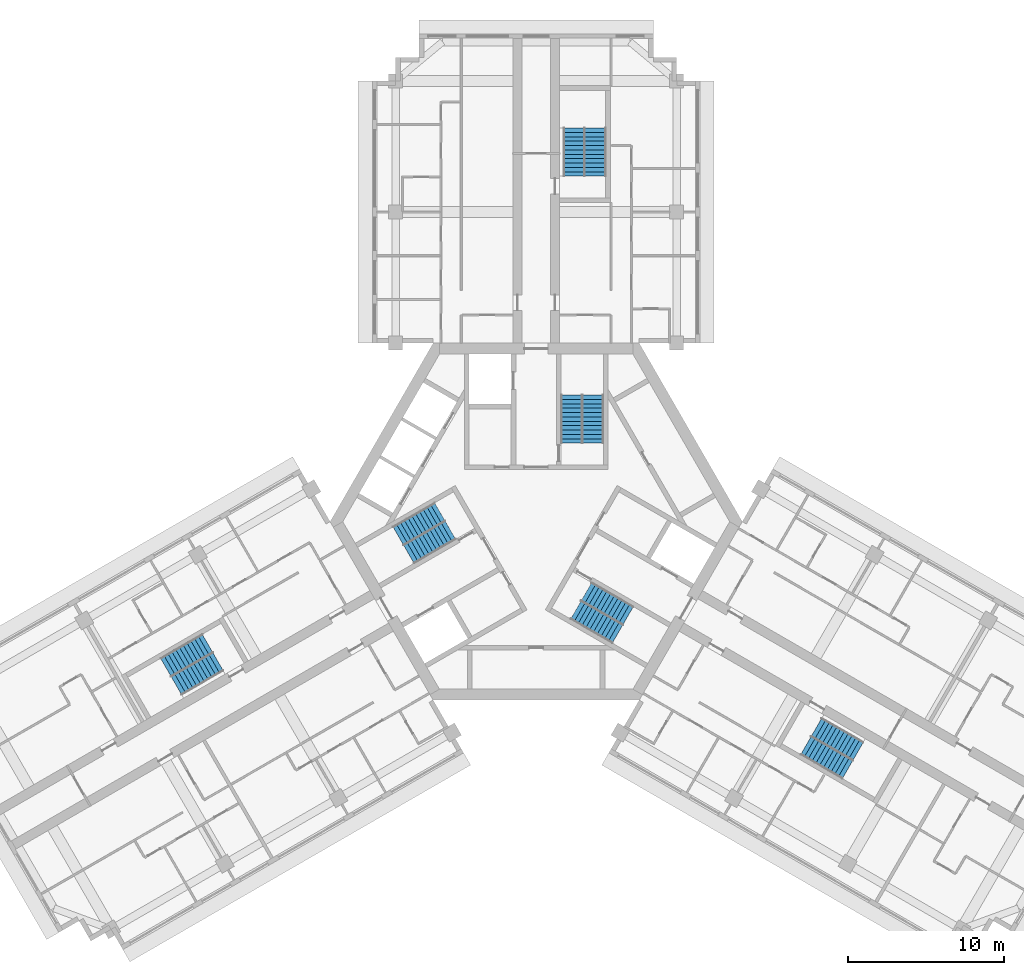
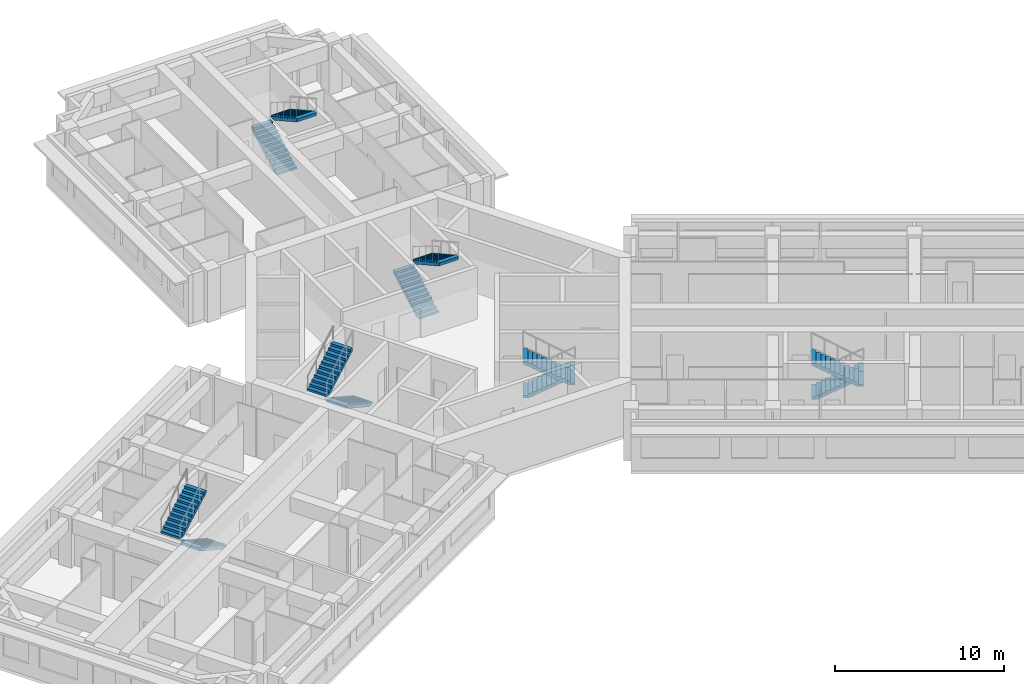
# One storey, part 10 of 11: 12 stair flights, 6 elements without a shape of their own.
"""IFC4 building model written with IfcOpenShell, lengths in metres."""

import ifcopenshell
import ifcopenshell.guid

model = None  # the IFC model being written
_history = None  # IfcOwnerHistory: only IFC2X3 demands one
_inside = {}  # id of a spatial element -> (the spatial element, [elements in it])
_under = {}  # id of a project, library or spatial element -> (it, [spatial elements below it])
_declared = {}  # id of a project -> (the project, [libraries it declares])
_typed = {}  # id of a type object -> (the type object, [elements of that type])
_made_of = {}  # id of a material, layer set ... -> (it, [elements and type objects made of it])


def new_model(schema):
    """Start an empty IFC model of exactly this schema.

    Asked for "IFC4X3", IfcOpenShell would pick the latest addendum, in which some entities
    have other attributes; the version numbers below select the first issue.
    IFC2X3 requires an IfcOwnerHistory on every rooted entity: one is made here for all.
    """
    global model, _history
    if schema == "IFC4X3":
        model = ifcopenshell.file(schema_version=(4, 3, 0, 0))
    else:
        model = ifcopenshell.file(schema=schema)
    _inside.clear()
    _under.clear()
    _declared.clear()
    _typed.clear()
    _made_of.clear()
    _history = None
    if model.schema == "IFC2X3":
        org = make("IfcOrganization", Name="unknown")
        user = make(
            "IfcPersonAndOrganization",
            ThePerson=make("IfcPerson", FamilyName="unknown"),
            TheOrganization=org,
        )
        app = make(
            "IfcApplication",
            ApplicationDeveloper=org,
            Version="unknown",
            ApplicationFullName="unknown",
            ApplicationIdentifier="unknown",
        )
        _history = make(
            "IfcOwnerHistory",
            OwningUser=user,
            OwningApplication=app,
            ChangeAction="ADDED",
            CreationDate=0,
        )
    return model


def make(cls, **values):
    """One entity of the class cls with the attributes given. An attribute that is None is left unset."""
    return model.create_entity(
        cls, **{name: value for name, value in values.items() if value is not None}
    )


def rooted(cls, **values):
    """An entity with a GlobalId (a new one), such as an element, a storey or a relation."""
    return make(cls, GlobalId=ifcopenshell.guid.new(), OwnerHistory=_history, **values)


def si_unit(unit_type, name, prefix=None):
    """IfcSIUnit, for example si_unit("LENGTHUNIT", "METRE", prefix="MILLI")."""
    return make("IfcSIUnit", UnitType=unit_type, Prefix=prefix, Name=name)


def assignment(units):
    """IfcUnitAssignment: the units of a project."""
    return None if units is None else make("IfcUnitAssignment", Units=units)


def point(xyz):
    """IfcCartesianPoint."""
    return None if xyz is None else make("IfcCartesianPoint", Coordinates=xyz)


def direction(xyz):
    """IfcDirection."""
    return None if xyz is None else make("IfcDirection", DirectionRatios=xyz)


def frame(location, z_axis=None, x_axis=None):
    """IfcAxis2Placement3D, a coordinate frame: its origin and axes. An axis left out is left unset."""
    return make(
        "IfcAxis2Placement3D",
        Location=point(location),
        Axis=direction(z_axis),
        RefDirection=direction(x_axis),
    )


def origin():
    """The frame at (0, 0, 0) with its axes left unset."""
    return frame((0.0, 0.0, 0.0))


def place(relative_to, where):
    """IfcLocalPlacement: puts the frame where relative to a parent placement (None: the world)."""
    return make(
        "IfcLocalPlacement", PlacementRelTo=relative_to, RelativePlacement=where
    )


def context(
    kind, dimensions, precision=None, world=None, true_north=None, identifier=None
):
    """IfcGeometricRepresentationContext, for example the 3D "Model" context."""
    return make(
        "IfcGeometricRepresentationContext",
        ContextIdentifier=identifier,
        ContextType=kind,
        CoordinateSpaceDimension=dimensions,
        Precision=precision,
        WorldCoordinateSystem=world,
        TrueNorth=true_north,
    )


def subcontext(parent, identifier, kind, view, scale=None):
    """IfcGeometricRepresentationSubContext, for example "Body" below "Model"."""
    return make(
        "IfcGeometricRepresentationSubContext",
        ContextIdentifier=identifier,
        ContextType=kind,
        ParentContext=parent,
        TargetScale=scale,
        TargetView=view,
    )


def project(units=None, contexts=None):
    """IfcProject with its units and contexts."""
    return rooted(
        "IfcProject",
        Name="project",
        RepresentationContexts=contexts,
        UnitsInContext=assignment(units),
    )


def spatial(cls, under=None, at=None, **own):
    """A site, building, storey or space (cls), placed at a placement, below another one or the project."""
    s = rooted(cls, ObjectPlacement=at, **own)
    if under is not None:
        _under.setdefault(under.id(), (under, []))[1].append(s)
    return s


def polyline(points):
    """IfcPolyline through the points."""
    return make("IfcPolyline", Points=[point(p) for p in points])


def outline(outer, holes=None, kind="AREA"):
    """IfcArbitraryClosedProfileDef: a profile drawn as a closed curve; with holes, ...WithVoids."""
    if holes is None:
        return make("IfcArbitraryClosedProfileDef", ProfileType=kind, OuterCurve=outer)
    return make(
        "IfcArbitraryProfileDefWithVoids",
        ProfileType=kind,
        OuterCurve=outer,
        InnerCurves=holes,
    )


def extrude(swept, where, along, depth):
    """IfcExtrudedAreaSolid: the profile swept, set in the frame where, extruded along a direction by depth."""
    return make(
        "IfcExtrudedAreaSolid",
        SweptArea=swept,
        Position=where,
        ExtrudedDirection=direction(along),
        Depth=depth,
    )


def shape(context_of_items, identifier, shape_type, items):
    """IfcShapeRepresentation: the items that make up one representation, for example the "Body"."""
    return make(
        "IfcShapeRepresentation",
        ContextOfItems=context_of_items,
        RepresentationIdentifier=identifier,
        RepresentationType=shape_type,
        Items=items,
    )


def material(Name=None, Category=None):
    """IfcMaterial."""
    return make("IfcMaterial", Name=Name, Category=Category)


def made_of(thing, what):
    """Note that an element or type object is made of a material, layer set ...; save() writes the relation."""
    if what is not None:
        _made_of.setdefault(what.id(), (what, []))[1].append(thing)
    return thing


def type_object(cls, material=None, **own):
    """A type object (cls), such as IfcWallType, which elements share."""
    return made_of(rooted(cls, **own), material)


def element(
    cls,
    number,
    at=None,
    inside=None,
    cuts=None,
    type_object=None,
    material=None,
    context=None,
    identifier="Body",
    shape_type=None,
    held_by="IfcProductDefinitionShape",
    body=None,
    shapes=None,
    **own,
):
    """One element of the class cls, such as IfcWall. Its Tag is "e" and its number.

    at: its placement. inside: the storey or other place that contains it. cuts: it is an
    opening in that element (IfcRelVoidsElement). A single representation is given by context,
    identifier, shape_type and body (its items); several are given by shapes. held_by: the class
    of the entity that holds the representations. save() writes the other relations.
    """
    e = rooted(cls, Tag="e%d" % number, ObjectPlacement=at, **own)
    if body is not None:
        shapes = [shape(context, identifier, shape_type, body)]
    if shapes is not None:
        e.Representation = make(held_by, Representations=shapes)
    if inside is not None:
        _inside.setdefault(inside.id(), (inside, []))[1].append(e)
    if cuts is not None:
        rooted(
            "IfcRelVoidsElement", RelatingBuildingElement=cuts, RelatedOpeningElement=e
        )
    if type_object is not None:
        _typed.setdefault(type_object.id(), (type_object, []))[1].append(e)
    return made_of(e, material)


def aggregate(whole, parts):
    """IfcRelAggregates: a whole, such as a stair, and the parts it consists of."""
    return rooted("IfcRelAggregates", RelatingObject=whole, RelatedObjects=parts)


def save(model, path):
    """Write the relations noted so far, then the file.

    IfcRelAggregates (storeys below a building ...), IfcRelContainedInSpatialStructure (elements
    in a storey), IfcRelDefinesByType, IfcRelAssociatesMaterial and IfcRelDeclares: one each for
    every whole, place, type object, material and project.
    """
    for whole, parts in _under.values():
        aggregate(whole, parts)
    for where, things in _inside.values():
        rooted(
            "IfcRelContainedInSpatialStructure",
            RelatedElements=things,
            RelatingStructure=where,
        )
    for kind, things in _typed.values():
        rooted("IfcRelDefinesByType", RelatedObjects=things, RelatingType=kind)
    for what, things in _made_of.values():
        rooted("IfcRelAssociatesMaterial", RelatedObjects=things, RelatingMaterial=what)
    for by, libraries in _declared.values():
        rooted("IfcRelDeclares", RelatingContext=by, RelatedDefinitions=libraries)
    model.write(path)


model = new_model("IFC4")

# Units and contexts
model_context = context("Model", 3, precision=1e-05, world=origin(), true_north=direction((0.0, 1.0)))
body_context = subcontext(model_context, "Body", "Model", "MODEL_VIEW")
ifc_project = project(units=[si_unit("LENGTHUNIT", "METRE"), si_unit("AREAUNIT", "SQUARE_METRE"), si_unit("VOLUMEUNIT", "CUBIC_METRE"), si_unit("PLANEANGLEUNIT", "RADIAN"), si_unit("MASSUNIT", "GRAM", prefix="KILO")], contexts=[model_context])

# Site, building, storey
site_placement = place(None, origin())
site = spatial("IfcSite", under=ifc_project, at=site_placement, CompositionType="ELEMENT")
building_placement = place(site_placement, origin())
building = spatial("IfcBuilding", under=site, at=building_placement, Name="Impinga Residences", CompositionType="ELEMENT")
storey_placement = place(building_placement, frame((0.0, 0.0, 199.75)))
storey = spatial("IfcBuildingStorey", under=building, at=storey_placement, Name="L49", CompositionType="ELEMENT", Elevation=199.75)

# Stair, stair flights
ifc_material = material(Name="Concrete C40/50", Category="concrete")
stair_type_1 = type_object("IfcStairType", Name="STR core stair 3750 storey, 24 risers", PredefinedType="HALF_TURN_STAIR", material=ifc_material)
stair_1_placement = place(storey_placement, origin())
stair_1 = element("IfcStair", 1, at=stair_1_placement, inside=storey, type_object=stair_type_1, Name="Stair ST1 L49", PredefinedType="HALF_TURN_STAIR")
stair_flight_type = type_object("IfcStairFlightType", Name="SF 12 risers of 156", PredefinedType="STRAIGHT", material=ifc_material)
stair_flight_1_placement = place(storey_placement, frame((2.27490234375, 5.030029296875, 0.0), z_axis=(0.0, 0.0, 1.0), x_axis=(0.0, 1.0, 0.0)))
stair_flight_1 = element("IfcStairFlight", 2, at=stair_flight_1_placement, type_object=stair_flight_type, Name="ST1 flight 1", NumberOfRisers=12, NumberOfTreads=11, PredefinedType="STRAIGHT", RiserHeight=0.15625, TreadLength=0.28, context=body_context, shape_type="SweptSolid", body=[
    extrude(outline(polyline([(0.0, 0.0), (0.0, 0.15625), (0.280029296875, 0.15625), (0.280029296875, 0.3125), (0.56005859375, 0.3125), (0.56005859375, 0.46875), (0.840087890625, 0.46875), (0.840087890625, 0.625), (1.1201171875, 0.625), (1.1201171875, 0.78125), (1.39990234375, 0.78125), (1.39990234375, 0.9375), (1.679931640625, 0.9375), (1.679931640625, 1.09375), (1.9599609375, 1.09375), (1.9599609375, 1.25), (2.239990234375, 1.25), (2.239990234375, 1.40625), (2.52001953125, 1.40625), (2.52001953125, 1.5625), (2.800048828125, 1.5625), (2.800048828125, 1.71875), (3.080078125, 1.71875), (3.080078125, 1.875), (3.080078125, 1.5126953125), (0.369140625, 0.0), (0.0, 0.0)])), frame((0.0, 0.675048828125, 0.0), z_axis=(0.0, -1.0, 0.0), x_axis=(1.0, 0.0, 0.0)), (0.0, 0.0, 1.0), 1.35009765625),
])
stair_flight_2_placement = place(storey_placement, frame((3.625, 8.110107421875, 1.875), z_axis=(0.0, 0.0, 1.0), x_axis=(0.0, -1.0, 0.0)))
stair_flight_2 = element("IfcStairFlight", 3, at=stair_flight_2_placement, type_object=stair_flight_type, Name="ST1 flight 2", NumberOfRisers=12, NumberOfTreads=11, PredefinedType="STRAIGHT", RiserHeight=0.15625, TreadLength=0.28, context=body_context, shape_type="SweptSolid", body=[
    extrude(outline(polyline([(0.0, 0.0), (0.0, 0.15625), (0.280029296875, 0.15625), (0.280029296875, 0.3125), (0.56005859375, 0.3125), (0.56005859375, 0.46875), (0.840087890625, 0.46875), (0.840087890625, 0.625), (1.1201171875, 0.625), (1.1201171875, 0.78125), (1.39990234375, 0.78125), (1.39990234375, 0.9375), (1.679931640625, 0.9375), (1.679931640625, 1.09375), (1.9599609375, 1.09375), (1.9599609375, 1.25), (2.239990234375, 1.25), (2.239990234375, 1.40625), (2.52001953125, 1.40625), (2.52001953125, 1.5625), (2.800048828125, 1.5625), (2.800048828125, 1.71875), (3.080078125, 1.71875), (3.080078125, 1.875), (3.080078125, 1.5126953125), (0.369140625, 0.0), (0.0, 0.0)])), frame((0.0, 0.675048828125, 0.0), z_axis=(0.0, -1.0, 0.0), x_axis=(1.0, 0.0, 0.0)), (0.0, 0.0, 1.0), 1.35009765625),
])
aggregate(stair_1, [stair_flight_1, stair_flight_2])

stair_2_placement = place(storey_placement, origin())
stair_2 = element("IfcStair", 4, at=stair_2_placement, inside=storey, type_object=stair_type_1, Name="Stair ST2 L49", PredefinedType="HALF_TURN_STAIR")
stair_flight_3_placement = place(storey_placement, frame((-5.49365234375, -0.544677734375, 0.0), z_axis=(0.0, 0.0, 1.0), x_axis=(-0.866025403784, -0.5, 0.0)))
stair_flight_3 = element("IfcStairFlight", 5, at=stair_flight_3_placement, type_object=stair_flight_type, Name="ST2 flight 1", NumberOfRisers=12, NumberOfTreads=11, PredefinedType="STRAIGHT", RiserHeight=0.15625, TreadLength=0.28, context=body_context, shape_type="SweptSolid", body=[
    extrude(outline(polyline([(0.0, 0.0), (0.0, 0.15625), (0.280029296875, 0.15625), (0.280029296875, 0.3125), (0.56005859375, 0.3125), (0.56005859375, 0.46875), (0.840087890625, 0.46875), (0.840087890625, 0.625), (1.1201171875, 0.625), (1.1201171875, 0.78125), (1.39990234375, 0.78125), (1.39990234375, 0.9375), (1.679931640625, 0.9375), (1.679931640625, 1.09375), (1.9599609375, 1.09375), (1.9599609375, 1.25), (2.239990234375, 1.25), (2.239990234375, 1.40625), (2.52001953125, 1.40625), (2.52001953125, 1.5625), (2.800048828125, 1.5625), (2.800048828125, 1.71875), (3.080078125, 1.71875), (3.080078125, 1.875), (3.080078125, 1.5126953125), (0.369140625, 0.0), (0.0, 0.0)])), frame((0.0, 0.675048828125, 0.0), z_axis=(0.0, -1.0, 0.0), x_axis=(1.0, 0.0, 0.0)), (0.0, 0.0, 1.0), 1.35009765625),
])
stair_flight_4_placement = place(storey_placement, frame((-8.8359375, -0.915771484375, 1.875), z_axis=(0.0, 0.0, 1.0), x_axis=(0.866025403784, 0.5, 0.0)))
stair_flight_4 = element("IfcStairFlight", 6, at=stair_flight_4_placement, type_object=stair_flight_type, Name="ST2 flight 2", NumberOfRisers=12, NumberOfTreads=11, PredefinedType="STRAIGHT", RiserHeight=0.15625, TreadLength=0.28, context=body_context, shape_type="SweptSolid", body=[
    extrude(outline(polyline([(0.0, 0.0), (0.0, 0.15625), (0.280029296875, 0.15625), (0.280029296875, 0.3125), (0.56005859375, 0.3125), (0.56005859375, 0.46875), (0.840087890625, 0.46875), (0.840087890625, 0.625), (1.1201171875, 0.625), (1.1201171875, 0.78125), (1.39990234375, 0.78125), (1.39990234375, 0.9375), (1.679931640625, 0.9375), (1.679931640625, 1.09375), (1.9599609375, 1.09375), (1.9599609375, 1.25), (2.239990234375, 1.25), (2.239990234375, 1.40625), (2.52001953125, 1.40625), (2.52001953125, 1.5625), (2.800048828125, 1.5625), (2.800048828125, 1.71875), (3.080078125, 1.71875), (3.080078125, 1.875), (3.080078125, 1.5126953125), (0.369140625, 0.0), (0.0, 0.0)])), frame((0.0, 0.675048828125, 0.0), z_axis=(0.0, -1.0, 0.0), x_axis=(1.0, 0.0, 0.0)), (0.0, 0.0, 1.0), 1.35009765625),
])
aggregate(stair_2, [stair_flight_3, stair_flight_4])

stair_3_placement = place(storey_placement, origin())
stair_3 = element("IfcStair", 7, at=stair_3_placement, inside=storey, type_object=stair_type_1, Name="Stair ST3 L49", PredefinedType="HALF_TURN_STAIR")
stair_flight_5_placement = place(storey_placement, frame((3.218505859375, -4.485107421875, 0.0), z_axis=(0.0, 0.0, 1.0), x_axis=(0.866025403784, -0.5, 0.0)))
stair_flight_5 = element("IfcStairFlight", 8, at=stair_flight_5_placement, type_object=stair_flight_type, Name="ST3 flight 1", NumberOfRisers=12, NumberOfTreads=11, PredefinedType="STRAIGHT", RiserHeight=0.15625, TreadLength=0.28, context=body_context, shape_type="SweptSolid", body=[
    extrude(outline(polyline([(0.0, 0.0), (0.0, 0.15625), (0.280029296875, 0.15625), (0.280029296875, 0.3125), (0.56005859375, 0.3125), (0.56005859375, 0.46875), (0.840087890625, 0.46875), (0.840087890625, 0.625), (1.1201171875, 0.625), (1.1201171875, 0.78125), (1.39990234375, 0.78125), (1.39990234375, 0.9375), (1.679931640625, 0.9375), (1.679931640625, 1.09375), (1.9599609375, 1.09375), (1.9599609375, 1.25), (2.239990234375, 1.25), (2.239990234375, 1.40625), (2.52001953125, 1.40625), (2.52001953125, 1.5625), (2.800048828125, 1.5625), (2.800048828125, 1.71875), (3.080078125, 1.71875), (3.080078125, 1.875), (3.080078125, 1.5126953125), (0.369140625, 0.0), (0.0, 0.0)])), frame((0.0, 0.675048828125, 0.0), z_axis=(0.0, -1.0, 0.0), x_axis=(1.0, 0.0, 0.0)), (0.0, 0.0, 1.0), 1.35009765625),
])
stair_flight_6_placement = place(storey_placement, frame((5.2109375, -7.1943359375, 1.875), z_axis=(0.0, 0.0, 1.0), x_axis=(-0.866025403784, 0.5, 0.0)))
stair_flight_6 = element("IfcStairFlight", 9, at=stair_flight_6_placement, type_object=stair_flight_type, Name="ST3 flight 2", NumberOfRisers=12, NumberOfTreads=11, PredefinedType="STRAIGHT", RiserHeight=0.15625, TreadLength=0.28, context=body_context, shape_type="SweptSolid", body=[
    extrude(outline(polyline([(0.0, 0.0), (0.0, 0.15625), (0.280029296875, 0.15625), (0.280029296875, 0.3125), (0.56005859375, 0.3125), (0.56005859375, 0.46875), (0.840087890625, 0.46875), (0.840087890625, 0.625), (1.1201171875, 0.625), (1.1201171875, 0.78125), (1.39990234375, 0.78125), (1.39990234375, 0.9375), (1.679931640625, 0.9375), (1.679931640625, 1.09375), (1.9599609375, 1.09375), (1.9599609375, 1.25), (2.239990234375, 1.25), (2.239990234375, 1.40625), (2.52001953125, 1.40625), (2.52001953125, 1.5625), (2.800048828125, 1.5625), (2.800048828125, 1.71875), (3.080078125, 1.71875), (3.080078125, 1.875), (3.080078125, 1.5126953125), (0.369140625, 0.0), (0.0, 0.0)])), frame((0.0, 0.675048828125, 0.0), z_axis=(0.0, -1.0, 0.0), x_axis=(1.0, 0.0, 0.0)), (0.0, 0.0, 1.0), 1.35009765625),
])
aggregate(stair_3, [stair_flight_5, stair_flight_6])

stair_type_2 = type_object("IfcStairType", Name="STR wing stair 3750 storey, 24 risers", PredefinedType="HALF_TURN_STAIR", material=ifc_material)
stair_4_placement = place(storey_placement, origin())
stair_4 = element("IfcStair", 10, at=stair_4_placement, inside=storey, type_object=stair_type_2, Name="Stair WS1 L49", PredefinedType="HALF_TURN_STAIR")
stair_flight_7_placement = place(storey_placement, frame((2.425048828125, 22.131591796875, 0.0), z_axis=(0.0, 0.0, 1.0), x_axis=(0.0, 1.0, 0.0)))
stair_flight_7 = element("IfcStairFlight", 11, at=stair_flight_7_placement, type_object=stair_flight_type, Name="WS1 flight 1", NumberOfRisers=12, NumberOfTreads=11, PredefinedType="STRAIGHT", RiserHeight=0.15625, TreadLength=0.28, context=body_context, shape_type="SweptSolid", body=[
    extrude(outline(polyline([(0.0, 0.0), (0.0, 0.15625), (0.280029296875, 0.15625), (0.280029296875, 0.3125), (0.56005859375, 0.3125), (0.56005859375, 0.46875), (0.840087890625, 0.46875), (0.840087890625, 0.625), (1.1201171875, 0.625), (1.1201171875, 0.78125), (1.39990234375, 0.78125), (1.39990234375, 0.9375), (1.679931640625, 0.9375), (1.679931640625, 1.09375), (1.9599609375, 1.09375), (1.9599609375, 1.25), (2.239990234375, 1.25), (2.239990234375, 1.40625), (2.52001953125, 1.40625), (2.52001953125, 1.5625), (2.800048828125, 1.5625), (2.800048828125, 1.71875), (3.080078125, 1.71875), (3.080078125, 1.875), (3.080078125, 1.5126953125), (0.369140625, 0.0), (0.0, 0.0)])), frame((0.0, 0.675048828125, 0.0), z_axis=(0.0, -1.0, 0.0), x_axis=(1.0, 0.0, 0.0)), (0.0, 0.0, 1.0), 1.35009765625),
])
stair_flight_8_placement = place(storey_placement, frame((3.77490234375, 25.21142578125, 1.875), z_axis=(0.0, 0.0, 1.0), x_axis=(0.0, -1.0, 0.0)))
stair_flight_8 = element("IfcStairFlight", 12, at=stair_flight_8_placement, type_object=stair_flight_type, Name="WS1 flight 2", NumberOfRisers=12, NumberOfTreads=11, PredefinedType="STRAIGHT", RiserHeight=0.15625, TreadLength=0.28, context=body_context, shape_type="SweptSolid", body=[
    extrude(outline(polyline([(0.0, 0.0), (0.0, 0.15625), (0.280029296875, 0.15625), (0.280029296875, 0.3125), (0.56005859375, 0.3125), (0.56005859375, 0.46875), (0.840087890625, 0.46875), (0.840087890625, 0.625), (1.1201171875, 0.625), (1.1201171875, 0.78125), (1.39990234375, 0.78125), (1.39990234375, 0.9375), (1.679931640625, 0.9375), (1.679931640625, 1.09375), (1.9599609375, 1.09375), (1.9599609375, 1.25), (2.239990234375, 1.25), (2.239990234375, 1.40625), (2.52001953125, 1.40625), (2.52001953125, 1.5625), (2.800048828125, 1.5625), (2.800048828125, 1.71875), (3.080078125, 1.71875), (3.080078125, 1.875), (3.080078125, 1.5126953125), (0.369140625, 0.0), (0.0, 0.0)])), frame((0.0, 0.675048828125, 0.0), z_axis=(0.0, -1.0, 0.0), x_axis=(1.0, 0.0, 0.0)), (0.0, 0.0, 1.0), 1.35009765625),
])
aggregate(stair_4, [stair_flight_7, stair_flight_8])

stair_5_placement = place(storey_placement, origin())
stair_5 = element("IfcStair", 13, at=stair_5_placement, inside=storey, type_object=stair_type_2, Name="Stair WS2 L49", PredefinedType="HALF_TURN_STAIR")
stair_flight_9_placement = place(storey_placement, frame((-20.37890625, -8.965576171875, 0.0), z_axis=(0.0, 0.0, 1.0), x_axis=(-0.866025403784, -0.5, 0.0)))
stair_flight_9 = element("IfcStairFlight", 14, at=stair_flight_9_placement, type_object=stair_flight_type, Name="WS2 flight 1", NumberOfRisers=12, NumberOfTreads=11, PredefinedType="STRAIGHT", RiserHeight=0.15625, TreadLength=0.28, context=body_context, shape_type="SweptSolid", body=[
    extrude(outline(polyline([(0.0, 0.0), (0.0, 0.15625), (0.280029296875, 0.15625), (0.280029296875, 0.3125), (0.56005859375, 0.3125), (0.56005859375, 0.46875), (0.840087890625, 0.46875), (0.840087890625, 0.625), (1.1201171875, 0.625), (1.1201171875, 0.78125), (1.39990234375, 0.78125), (1.39990234375, 0.9375), (1.679931640625, 0.9375), (1.679931640625, 1.09375), (1.9599609375, 1.09375), (1.9599609375, 1.25), (2.239990234375, 1.25), (2.239990234375, 1.40625), (2.52001953125, 1.40625), (2.52001953125, 1.5625), (2.800048828125, 1.5625), (2.800048828125, 1.71875), (3.080078125, 1.71875), (3.080078125, 1.875), (3.080078125, 1.5126953125), (0.369140625, 0.0), (0.0, 0.0)])), frame((0.0, 0.675048828125, 0.0), z_axis=(0.0, -1.0, 0.0), x_axis=(1.0, 0.0, 0.0)), (0.0, 0.0, 1.0), 1.35009765625),
])
stair_flight_10_placement = place(storey_placement, frame((-23.721435546875, -9.33642578125, 1.875), z_axis=(0.0, 0.0, 1.0), x_axis=(0.866025403784, 0.5, 0.0)))
stair_flight_10 = element("IfcStairFlight", 15, at=stair_flight_10_placement, type_object=stair_flight_type, Name="WS2 flight 2", NumberOfRisers=12, NumberOfTreads=11, PredefinedType="STRAIGHT", RiserHeight=0.15625, TreadLength=0.28, context=body_context, shape_type="SweptSolid", body=[
    extrude(outline(polyline([(0.0, 0.0), (0.0, 0.15625), (0.280029296875, 0.15625), (0.280029296875, 0.3125), (0.56005859375, 0.3125), (0.56005859375, 0.46875), (0.840087890625, 0.46875), (0.840087890625, 0.625), (1.1201171875, 0.625), (1.1201171875, 0.78125), (1.39990234375, 0.78125), (1.39990234375, 0.9375), (1.679931640625, 0.9375), (1.679931640625, 1.09375), (1.9599609375, 1.09375), (1.9599609375, 1.25), (2.239990234375, 1.25), (2.239990234375, 1.40625), (2.52001953125, 1.40625), (2.52001953125, 1.5625), (2.800048828125, 1.5625), (2.800048828125, 1.71875), (3.080078125, 1.71875), (3.080078125, 1.875), (3.080078125, 1.5126953125), (0.369140625, 0.0), (0.0, 0.0)])), frame((0.0, 0.675048828125, 0.0), z_axis=(0.0, -1.0, 0.0), x_axis=(1.0, 0.0, 0.0)), (0.0, 0.0, 1.0), 1.35009765625),
])
aggregate(stair_5, [stair_flight_9, stair_flight_10])

stair_6_placement = place(storey_placement, origin())
stair_6 = element("IfcStair", 16, at=stair_6_placement, inside=storey, type_object=stair_type_2, Name="Stair WS3 L49", PredefinedType="HALF_TURN_STAIR")
stair_flight_11_placement = place(storey_placement, frame((17.953857421875, -13.165771484375, 0.0), z_axis=(0.0, 0.0, 1.0), x_axis=(0.866025403784, -0.5, 0.0)))
stair_flight_11 = element("IfcStairFlight", 17, at=stair_flight_11_placement, type_object=stair_flight_type, Name="WS3 flight 1", NumberOfRisers=12, NumberOfTreads=11, PredefinedType="STRAIGHT", RiserHeight=0.15625, TreadLength=0.28, context=body_context, shape_type="SweptSolid", body=[
    extrude(outline(polyline([(0.0, 0.0), (0.0, 0.15625), (0.280029296875, 0.15625), (0.280029296875, 0.3125), (0.56005859375, 0.3125), (0.56005859375, 0.46875), (0.840087890625, 0.46875), (0.840087890625, 0.625), (1.1201171875, 0.625), (1.1201171875, 0.78125), (1.39990234375, 0.78125), (1.39990234375, 0.9375), (1.679931640625, 0.9375), (1.679931640625, 1.09375), (1.9599609375, 1.09375), (1.9599609375, 1.25), (2.239990234375, 1.25), (2.239990234375, 1.40625), (2.52001953125, 1.40625), (2.52001953125, 1.5625), (2.800048828125, 1.5625), (2.800048828125, 1.71875), (3.080078125, 1.71875), (3.080078125, 1.875), (3.080078125, 1.5126953125), (0.369140625, 0.0), (0.0, 0.0)])), frame((0.0, 0.675048828125, 0.0), z_axis=(0.0, -1.0, 0.0), x_axis=(1.0, 0.0, 0.0)), (0.0, 0.0, 1.0), 1.35009765625),
])
stair_flight_12_placement = place(storey_placement, frame((19.9462890625, -15.875, 1.875), z_axis=(0.0, 0.0, 1.0), x_axis=(-0.866025403784, 0.5, 0.0)))
stair_flight_12 = element("IfcStairFlight", 18, at=stair_flight_12_placement, type_object=stair_flight_type, Name="WS3 flight 2", NumberOfRisers=12, NumberOfTreads=11, PredefinedType="STRAIGHT", RiserHeight=0.15625, TreadLength=0.28, context=body_context, shape_type="SweptSolid", body=[
    extrude(outline(polyline([(0.0, 0.0), (0.0, 0.15625), (0.280029296875, 0.15625), (0.280029296875, 0.3125), (0.56005859375, 0.3125), (0.56005859375, 0.46875), (0.840087890625, 0.46875), (0.840087890625, 0.625), (1.1201171875, 0.625), (1.1201171875, 0.78125), (1.39990234375, 0.78125), (1.39990234375, 0.9375), (1.679931640625, 0.9375), (1.679931640625, 1.09375), (1.9599609375, 1.09375), (1.9599609375, 1.25), (2.239990234375, 1.25), (2.239990234375, 1.40625), (2.52001953125, 1.40625), (2.52001953125, 1.5625), (2.800048828125, 1.5625), (2.800048828125, 1.71875), (3.080078125, 1.71875), (3.080078125, 1.875), (3.080078125, 1.5126953125), (0.369140625, 0.0), (0.0, 0.0)])), frame((0.0, 0.675048828125, 0.0), z_axis=(0.0, -1.0, 0.0), x_axis=(1.0, 0.0, 0.0)), (0.0, 0.0, 1.0), 1.35009765625),
])
aggregate(stair_6, [stair_flight_11, stair_flight_12])

save(model, "model.ifc")
